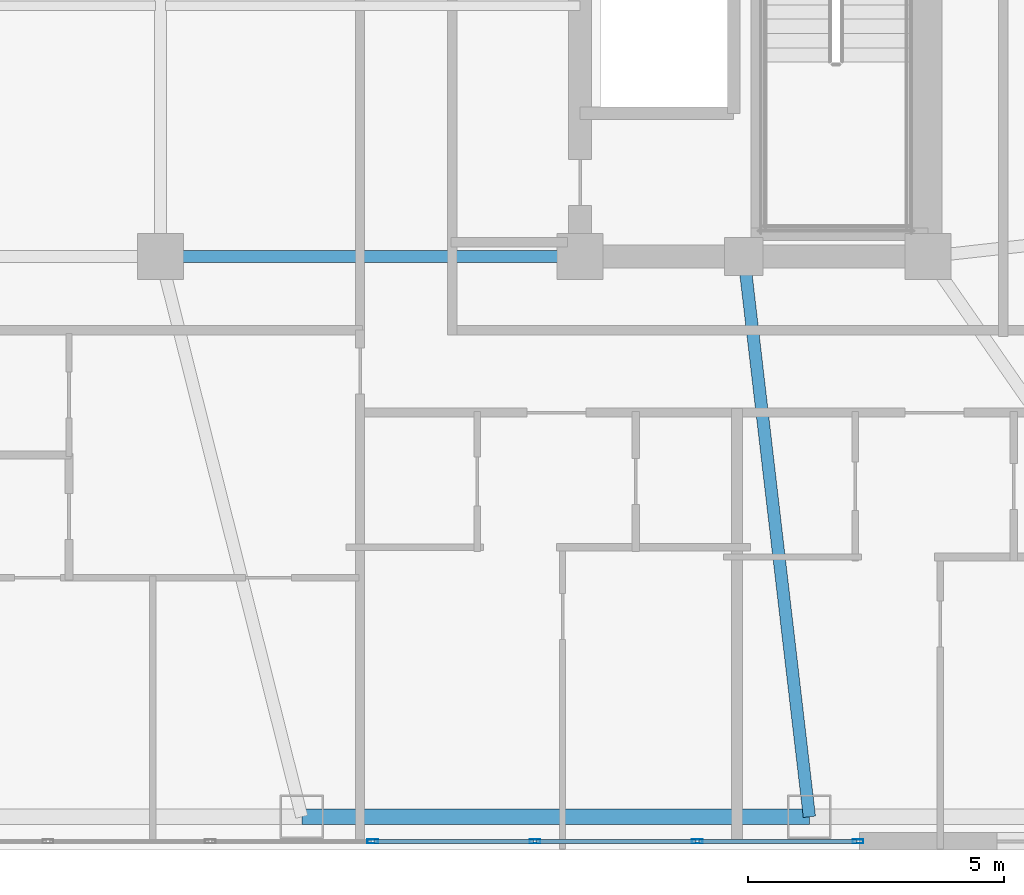
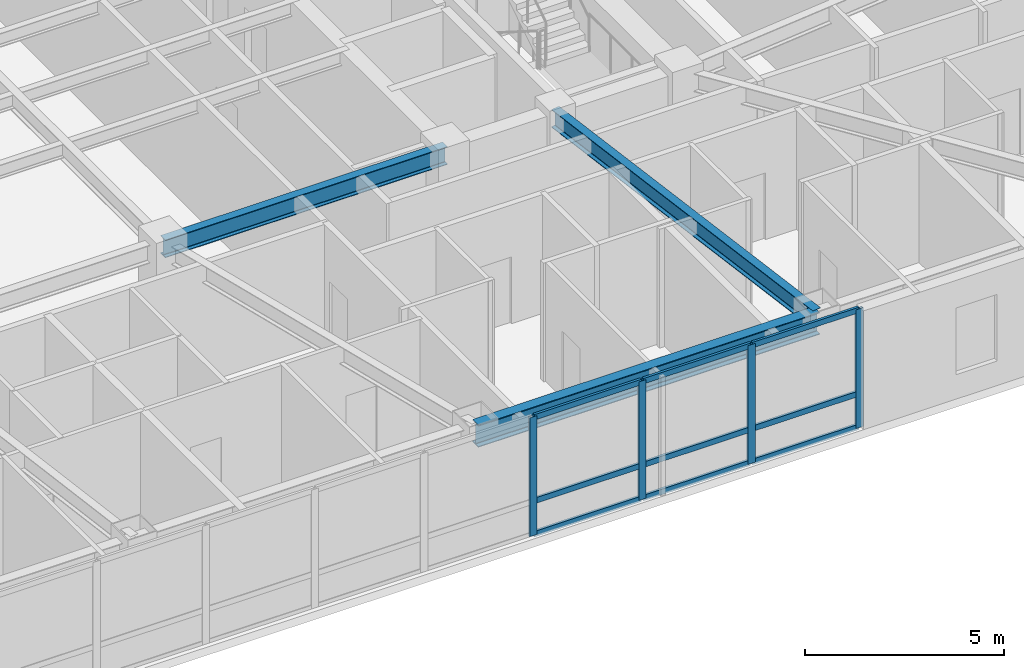
# One storey, part 6 of 17: 13 members, 3 beams, 1 element without a shape of its own.
"""IFC4 building model written with IfcOpenShell, lengths in metres."""

import ifcopenshell
import ifcopenshell.guid

model = None  # the IFC model being written
_history = None  # IfcOwnerHistory: only IFC2X3 demands one
_inside = {}  # id of a spatial element -> (the spatial element, [elements in it])
_under = {}  # id of a project, library or spatial element -> (it, [spatial elements below it])
_declared = {}  # id of a project -> (the project, [libraries it declares])
_typed = {}  # id of a type object -> (the type object, [elements of that type])
_made_of = {}  # id of a material, layer set ... -> (it, [elements and type objects made of it])


def new_model(schema):
    """Start an empty IFC model of exactly this schema.

    Asked for "IFC4X3", IfcOpenShell would pick the latest addendum, in which some entities
    have other attributes; the version numbers below select the first issue.
    IFC2X3 requires an IfcOwnerHistory on every rooted entity: one is made here for all.
    """
    global model, _history
    if schema == "IFC4X3":
        model = ifcopenshell.file(schema_version=(4, 3, 0, 0))
    else:
        model = ifcopenshell.file(schema=schema)
    _inside.clear()
    _under.clear()
    _declared.clear()
    _typed.clear()
    _made_of.clear()
    _history = None
    if model.schema == "IFC2X3":
        org = make("IfcOrganization", Name="unknown")
        user = make(
            "IfcPersonAndOrganization",
            ThePerson=make("IfcPerson", FamilyName="unknown"),
            TheOrganization=org,
        )
        app = make(
            "IfcApplication",
            ApplicationDeveloper=org,
            Version="unknown",
            ApplicationFullName="unknown",
            ApplicationIdentifier="unknown",
        )
        _history = make(
            "IfcOwnerHistory",
            OwningUser=user,
            OwningApplication=app,
            ChangeAction="ADDED",
            CreationDate=0,
        )
    return model


def make(cls, **values):
    """One entity of the class cls with the attributes given. An attribute that is None is left unset."""
    return model.create_entity(
        cls, **{name: value for name, value in values.items() if value is not None}
    )


def rooted(cls, **values):
    """An entity with a GlobalId (a new one), such as an element, a storey or a relation."""
    return make(cls, GlobalId=ifcopenshell.guid.new(), OwnerHistory=_history, **values)


def si_unit(unit_type, name, prefix=None):
    """IfcSIUnit, for example si_unit("LENGTHUNIT", "METRE", prefix="MILLI")."""
    return make("IfcSIUnit", UnitType=unit_type, Prefix=prefix, Name=name)


def assignment(units):
    """IfcUnitAssignment: the units of a project."""
    return None if units is None else make("IfcUnitAssignment", Units=units)


def point(xyz):
    """IfcCartesianPoint."""
    return None if xyz is None else make("IfcCartesianPoint", Coordinates=xyz)


def direction(xyz):
    """IfcDirection."""
    return None if xyz is None else make("IfcDirection", DirectionRatios=xyz)


def frame(location, z_axis=None, x_axis=None):
    """IfcAxis2Placement3D, a coordinate frame: its origin and axes. An axis left out is left unset."""
    return make(
        "IfcAxis2Placement3D",
        Location=point(location),
        Axis=direction(z_axis),
        RefDirection=direction(x_axis),
    )


def frame_2d(location, x_axis=None):
    """IfcAxis2Placement2D, a coordinate frame in the plane: its origin and x axis."""
    return make(
        "IfcAxis2Placement2D", Location=point(location), RefDirection=direction(x_axis)
    )


def origin():
    """The frame at (0, 0, 0) with its axes left unset."""
    return frame((0.0, 0.0, 0.0))


def origin_2d():
    """The frame at (0, 0) in the plane with its x axis left unset."""
    return frame_2d((0.0, 0.0))


def place(relative_to, where):
    """IfcLocalPlacement: puts the frame where relative to a parent placement (None: the world)."""
    return make(
        "IfcLocalPlacement", PlacementRelTo=relative_to, RelativePlacement=where
    )


def context(
    kind, dimensions, precision=None, world=None, true_north=None, identifier=None
):
    """IfcGeometricRepresentationContext, for example the 3D "Model" context."""
    return make(
        "IfcGeometricRepresentationContext",
        ContextIdentifier=identifier,
        ContextType=kind,
        CoordinateSpaceDimension=dimensions,
        Precision=precision,
        WorldCoordinateSystem=world,
        TrueNorth=true_north,
    )


def subcontext(parent, identifier, kind, view, scale=None):
    """IfcGeometricRepresentationSubContext, for example "Body" below "Model"."""
    return make(
        "IfcGeometricRepresentationSubContext",
        ContextIdentifier=identifier,
        ContextType=kind,
        ParentContext=parent,
        TargetScale=scale,
        TargetView=view,
    )


def project(units=None, contexts=None):
    """IfcProject with its units and contexts."""
    return rooted(
        "IfcProject",
        Name="project",
        RepresentationContexts=contexts,
        UnitsInContext=assignment(units),
    )


def spatial(cls, under=None, at=None, **own):
    """A site, building, storey or space (cls), placed at a placement, below another one or the project."""
    s = rooted(cls, ObjectPlacement=at, **own)
    if under is not None:
        _under.setdefault(under.id(), (under, []))[1].append(s)
    return s


def profile(cls, at=None, kind="AREA", **sizes):
    """A parametric profile (cls). Its sizes go by their IFC names, for example OverallWidth=200.0."""
    return make(cls, ProfileType=kind, Position=at, **sizes)


def hollow_rectangle(**sizes):
    """IfcRectangleHollowProfileDef."""
    return profile("IfcRectangleHollowProfileDef", **sizes)


def i_section(**sizes):
    """IfcIShapeProfileDef."""
    return profile("IfcIShapeProfileDef", **sizes)


def extrude(swept, where, along, depth):
    """IfcExtrudedAreaSolid: the profile swept, set in the frame where, extruded along a direction by depth."""
    return make(
        "IfcExtrudedAreaSolid",
        SweptArea=swept,
        Position=where,
        ExtrudedDirection=direction(along),
        Depth=depth,
    )


def shape(context_of_items, identifier, shape_type, items):
    """IfcShapeRepresentation: the items that make up one representation, for example the "Body"."""
    return make(
        "IfcShapeRepresentation",
        ContextOfItems=context_of_items,
        RepresentationIdentifier=identifier,
        RepresentationType=shape_type,
        Items=items,
    )


def material(Name=None, Category=None):
    """IfcMaterial."""
    return make("IfcMaterial", Name=Name, Category=Category)


def layer(
    of_material, thickness, ventilated=None, Name=None, Category=None, Priority=None
):
    """IfcMaterialLayer: one layer of a wall or slab, of a material (None: an air gap)."""
    return make(
        "IfcMaterialLayer",
        Material=of_material,
        LayerThickness=thickness,
        IsVentilated=ventilated,
        Name=Name,
        Category=Category,
        Priority=Priority,
    )


def layer_set(layers, Name=None):
    """IfcMaterialLayerSet."""
    return make("IfcMaterialLayerSet", MaterialLayers=layers, LayerSetName=Name)


def material_profile(
    of_material, cross_section, Name=None, Category=None, Priority=None
):
    """IfcMaterialProfile: a cross section and its material."""
    return make(
        "IfcMaterialProfile",
        Name=Name,
        Material=of_material,
        Profile=cross_section,
        Priority=Priority,
        Category=Category,
    )


def profile_set(profiles, Name=None, composite=None):
    """IfcMaterialProfileSet."""
    return make(
        "IfcMaterialProfileSet",
        Name=Name,
        MaterialProfiles=profiles,
        CompositeProfile=composite,
    )


def made_of(thing, what):
    """Note that an element or type object is made of a material, layer set ...; save() writes the relation."""
    if what is not None:
        _made_of.setdefault(what.id(), (what, []))[1].append(thing)
    return thing


def type_object(cls, material=None, **own):
    """A type object (cls), such as IfcWallType, which elements share."""
    return made_of(rooted(cls, **own), material)


def element(
    cls,
    number,
    at=None,
    inside=None,
    cuts=None,
    type_object=None,
    material=None,
    context=None,
    identifier="Body",
    shape_type=None,
    held_by="IfcProductDefinitionShape",
    body=None,
    shapes=None,
    **own,
):
    """One element of the class cls, such as IfcWall. Its Tag is "e" and its number.

    at: its placement. inside: the storey or other place that contains it. cuts: it is an
    opening in that element (IfcRelVoidsElement). A single representation is given by context,
    identifier, shape_type and body (its items); several are given by shapes. held_by: the class
    of the entity that holds the representations. save() writes the other relations.
    """
    e = rooted(cls, Tag="e%d" % number, ObjectPlacement=at, **own)
    if body is not None:
        shapes = [shape(context, identifier, shape_type, body)]
    if shapes is not None:
        e.Representation = make(held_by, Representations=shapes)
    if inside is not None:
        _inside.setdefault(inside.id(), (inside, []))[1].append(e)
    if cuts is not None:
        rooted(
            "IfcRelVoidsElement", RelatingBuildingElement=cuts, RelatedOpeningElement=e
        )
    if type_object is not None:
        _typed.setdefault(type_object.id(), (type_object, []))[1].append(e)
    return made_of(e, material)


def aggregate(whole, parts):
    """IfcRelAggregates: a whole, such as a stair, and the parts it consists of."""
    return rooted("IfcRelAggregates", RelatingObject=whole, RelatedObjects=parts)


def save(model, path):
    """Write the relations noted so far, then the file.

    IfcRelAggregates (storeys below a building ...), IfcRelContainedInSpatialStructure (elements
    in a storey), IfcRelDefinesByType, IfcRelAssociatesMaterial and IfcRelDeclares: one each for
    every whole, place, type object, material and project.
    """
    for whole, parts in _under.values():
        aggregate(whole, parts)
    for where, things in _inside.values():
        rooted(
            "IfcRelContainedInSpatialStructure",
            RelatedElements=things,
            RelatingStructure=where,
        )
    for kind, things in _typed.values():
        rooted("IfcRelDefinesByType", RelatedObjects=things, RelatingType=kind)
    for what, things in _made_of.values():
        rooted("IfcRelAssociatesMaterial", RelatedObjects=things, RelatingMaterial=what)
    for by, libraries in _declared.values():
        rooted("IfcRelDeclares", RelatingContext=by, RelatedDefinitions=libraries)
    model.write(path)


model = new_model("IFC4")

# Units and contexts
model_context = context("Model", 3, precision=1e-05, world=origin(), true_north=direction((0.0, 1.0)))
body_context = subcontext(model_context, "Body", "Model", "MODEL_VIEW")
ifc_project = project(units=[si_unit("LENGTHUNIT", "METRE"), si_unit("AREAUNIT", "SQUARE_METRE"), si_unit("VOLUMEUNIT", "CUBIC_METRE"), si_unit("PLANEANGLEUNIT", "RADIAN"), si_unit("MASSUNIT", "GRAM", prefix="KILO")], contexts=[model_context])

# Site, building, storey
site_placement = place(None, origin())
site = spatial("IfcSite", under=ifc_project, at=site_placement, CompositionType="ELEMENT")
building_placement = place(site_placement, origin())
building = spatial("IfcBuilding", under=site, at=building_placement, Name="Voryun Gate Residences", CompositionType="ELEMENT")
storey_placement = place(building_placement, frame((0.0, 0.0, 204.10009765625)))
storey = spatial("IfcBuildingStorey", under=building, at=storey_placement, Name="L50", CompositionType="ELEMENT", Elevation=204.10009765625)

# Beams
ifc_material_1 = material(Name="Steel SM355", Category="steel")
ifc_material_profile_1 = material_profile(ifc_material_1, i_section(OverallWidth=0.300048828125, OverallDepth=0.679931640625, WebThickness=0.013916015625, FlangeThickness=0.02490234375, FilletRadius=0.01806640625, at=origin_2d()), Name="H-680x300x14x25")
ifc_profile_set_1 = profile_set([ifc_material_profile_1], Name="Steel SM355")
beam_type_1 = type_object("IfcBeamType", Name="BM_EXO_SPANDREL_M", PredefinedType="SPANDREL", material=ifc_profile_set_1)
beam_1_placement = place(storey_placement, frame((6.9599609375, -18.35009765625, 3.309814453125), z_axis=(1.0, 0.0, 0.0), x_axis=(0.0, 1.0, 0.0)))
element("IfcBeam", 1, at=beam_1_placement, inside=storey, type_object=beam_type_1, Name="BM-L50-SPAND-04", PredefinedType="SPANDREL", context=body_context, shape_type="SweptSolid", body=[
    extrude(i_section(OverallWidth=0.300048828125, OverallDepth=0.679931640625, WebThickness=0.013916015625, FlangeThickness=0.02490234375, FilletRadius=0.01806640625, at=origin_2d()), origin(), (0.0, 0.0, 1.0), 9.919921875),
])
ifc_material_2 = material(Name="Steel SM355", Category="steel")
ifc_material_profile_2 = material_profile(ifc_material_2, i_section(OverallWidth=0.239990234375, OverallDepth=0.550048828125, WebThickness=0.011962890625, FlangeThickness=0.02001953125, FilletRadius=0.01806640625, at=origin_2d()), Name="H-550x240x12x20")
ifc_profile_set_2 = profile_set([ifc_material_profile_2], Name="Steel SM355")
beam_type_2 = type_object("IfcBeamType", Name="BM_GIRD_550", PredefinedType="USERDEFINED", material=ifc_profile_set_2)
beam_2_placement = place(storey_placement, frame((4.199951171875, -7.39990234375, 3.375), z_axis=(1.0, 0.0, 0.0), x_axis=(0.0, 1.0, 0.0)))
element("IfcBeam", 2, at=beam_2_placement, inside=storey, type_object=beam_type_2, Name="BM-L50-SPG3-S", ObjectType="GIRDER", PredefinedType="USERDEFINED", context=body_context, shape_type="SweptSolid", body=[
    extrude(i_section(OverallWidth=0.239990234375, OverallDepth=0.550048828125, WebThickness=0.011962890625, FlangeThickness=0.02001953125, FilletRadius=0.01806640625, at=origin_2d()), origin(), (0.0, 0.0, 1.0), 8.199951171875),
])
beam_3_placement = place(storey_placement, frame((15.60009765625, -7.39990234375, 3.375), z_axis=(0.116083150214, -0.993239498931, 0.0), x_axis=(0.993239498931, 0.116083150214, 0.0)))
element("IfcBeam", 3, at=beam_3_placement, inside=storey, type_object=beam_type_2, Name="BM-L50-RAD-S5", ObjectType="GIRDER", PredefinedType="USERDEFINED", context=body_context, shape_type="SweptSolid", body=[
    extrude(i_section(OverallWidth=0.239990234375, OverallDepth=0.550048828125, WebThickness=0.011962890625, FlangeThickness=0.02001953125, FilletRadius=0.01806640625, at=origin_2d()), origin(), (0.0, 0.0, 1.0), 11.024658203125),
])

# Curtain wall, members
ifc_material_3 = material(Name="Anodised aluminium", Category="aluminium")
ifc_layer = layer(ifc_material_3, 0.2099609375, Name="CW_SYS_SKYGARDEN_DARK_GLASS")
ifc_layer_set = layer_set([ifc_layer], Name="Anodised aluminium")
curtain_wall_type = type_object("IfcCurtainWallType", Name="CW_SYS_SKYGARDEN_DARK_GLASS", PredefinedType="NOTDEFINED", material=ifc_layer_set)
curtain_wall_placement = place(storey_placement, origin())
curtain_wall = element("IfcCurtainWall", 4, at=curtain_wall_placement, inside=storey, type_object=curtain_wall_type, Name="Curtain wall CW5-L50-SG-01", PredefinedType="NOTDEFINED")
ifc_material_4 = material(Name="Anodised aluminium", Category="aluminium")
ifc_material_profile_3 = material_profile(ifc_material_4, hollow_rectangle(XDim=0.074951171875, YDim=0.2099609375, WallThickness=0.0048828125, at=origin_2d()), Name="ALU-MULL-210x75x5")
ifc_profile_set_3 = profile_set([ifc_material_profile_3], Name="Anodised aluminium")
member_type_1 = type_object("IfcMemberType", Name="CW_MULL_SKY", PredefinedType="MULLION", material=ifc_profile_set_3)
member_1_placement = place(storey_placement, frame((17.831298828125, -18.830078125, 0.0), z_axis=(0.0, 0.0, 1.0), x_axis=(0.0, -1.0, 0.0)))
member_1 = element("IfcMember", 5, at=member_1_placement, type_object=member_type_1, Name="CW5 mullion 1", PredefinedType="MULLION", context=body_context, shape_type="SweptSolid", body=[
    extrude(hollow_rectangle(XDim=0.074951171875, YDim=0.2099609375, WallThickness=0.0048828125, at=origin_2d()), origin(), (0.0, 0.0, 1.0), 3.64990234375),
])
member_2_placement = place(storey_placement, frame((14.68896484375, -18.830078125, 0.0), z_axis=(0.0, 0.0, 1.0), x_axis=(0.0, -1.0, 0.0)))
member_2 = element("IfcMember", 6, at=member_2_placement, type_object=member_type_1, Name="CW5 mullion 2", PredefinedType="MULLION", context=body_context, shape_type="SweptSolid", body=[
    extrude(hollow_rectangle(XDim=0.074951171875, YDim=0.2099609375, WallThickness=0.0048828125, at=origin_2d()), origin(), (0.0, 0.0, 1.0), 3.64990234375),
])
member_3_placement = place(storey_placement, frame((11.516845703125, -18.830078125, 0.0), z_axis=(0.0, 0.0, 1.0), x_axis=(0.0, -1.0, 0.0)))
member_3 = element("IfcMember", 7, at=member_3_placement, type_object=member_type_1, Name="CW5 mullion 3", PredefinedType="MULLION", context=body_context, shape_type="SweptSolid", body=[
    extrude(hollow_rectangle(XDim=0.074951171875, YDim=0.2099609375, WallThickness=0.0048828125, at=origin_2d()), origin(), (0.0, 0.0, 1.0), 3.64990234375),
])
member_4_placement = place(storey_placement, frame((8.344482421875, -18.830078125, 0.0), z_axis=(0.0, 0.0, 1.0), x_axis=(0.0, -1.0, 0.0)))
member_4 = element("IfcMember", 8, at=member_4_placement, type_object=member_type_1, Name="CW5 mullion 4", PredefinedType="MULLION", context=body_context, shape_type="SweptSolid", body=[
    extrude(hollow_rectangle(XDim=0.074951171875, YDim=0.2099609375, WallThickness=0.0048828125, at=origin_2d()), origin(), (0.0, 0.0, 1.0), 3.64990234375),
])
ifc_material_5 = material(Name="Anodised aluminium", Category="aluminium")
ifc_material_profile_4 = material_profile(ifc_material_5, hollow_rectangle(XDim=0.074951171875, YDim=0.169921875, WallThickness=0.0048828125, at=origin_2d()), Name="ALU-TRAN-170x75x5")
ifc_profile_set_4 = profile_set([ifc_material_profile_4], Name="Anodised aluminium")
member_type_2 = type_object("IfcMemberType", Name="CW_TRAN_SKY", PredefinedType="USERDEFINED", material=ifc_profile_set_4)
member_5_placement = place(storey_placement, frame((17.80126953125, -18.830078125, 0.02978515625), z_axis=(-1.0, 0.0, 0.0), x_axis=(0.0, -1.0, 0.0)))
member_5 = element("IfcMember", 9, at=member_5_placement, type_object=member_type_2, Name="CW5 transom 1.1", ObjectType="TRANSOM", PredefinedType="USERDEFINED", context=body_context, shape_type="SweptSolid", body=[
    extrude(hollow_rectangle(XDim=0.074951171875, YDim=0.169921875, WallThickness=0.0048828125, at=origin_2d()), origin(), (0.0, 0.0, 1.0), 3.082275390625),
])
member_6_placement = place(storey_placement, frame((17.80126953125, -18.830078125, 1.0498046875), z_axis=(-1.0, 0.0, 0.0), x_axis=(0.0, -1.0, 0.0)))
member_6 = element("IfcMember", 10, at=member_6_placement, type_object=member_type_2, Name="CW5 transom 1.2", ObjectType="TRANSOM", PredefinedType="USERDEFINED", context=body_context, shape_type="SweptSolid", body=[
    extrude(hollow_rectangle(XDim=0.074951171875, YDim=0.169921875, WallThickness=0.0048828125, at=origin_2d()), origin(), (0.0, 0.0, 1.0), 3.082275390625),
])
member_7_placement = place(storey_placement, frame((17.80126953125, -18.830078125, 3.619873046875), z_axis=(-1.0, 0.0, 0.0), x_axis=(0.0, -1.0, 0.0)))
member_7 = element("IfcMember", 11, at=member_7_placement, type_object=member_type_2, Name="CW5 transom 1.3", ObjectType="TRANSOM", PredefinedType="USERDEFINED", context=body_context, shape_type="SweptSolid", body=[
    extrude(hollow_rectangle(XDim=0.074951171875, YDim=0.169921875, WallThickness=0.0048828125, at=origin_2d()), origin(), (0.0, 0.0, 1.0), 3.082275390625),
])
member_8_placement = place(storey_placement, frame((14.658935546875, -18.830078125, 0.02978515625), z_axis=(-1.0, 0.0, 0.0), x_axis=(0.0, -1.0, 0.0)))
member_8 = element("IfcMember", 12, at=member_8_placement, type_object=member_type_2, Name="CW5 transom 2.1", ObjectType="TRANSOM", PredefinedType="USERDEFINED", context=body_context, shape_type="SweptSolid", body=[
    extrude(hollow_rectangle(XDim=0.074951171875, YDim=0.169921875, WallThickness=0.0048828125, at=origin_2d()), origin(), (0.0, 0.0, 1.0), 3.112060546875),
])
member_9_placement = place(storey_placement, frame((14.658935546875, -18.830078125, 1.0498046875), z_axis=(-1.0, 0.0, 0.0), x_axis=(0.0, -1.0, 0.0)))
member_9 = element("IfcMember", 13, at=member_9_placement, type_object=member_type_2, Name="CW5 transom 2.2", ObjectType="TRANSOM", PredefinedType="USERDEFINED", context=body_context, shape_type="SweptSolid", body=[
    extrude(hollow_rectangle(XDim=0.074951171875, YDim=0.169921875, WallThickness=0.0048828125, at=origin_2d()), origin(), (0.0, 0.0, 1.0), 3.112060546875),
])
member_10_placement = place(storey_placement, frame((14.658935546875, -18.830078125, 3.619873046875), z_axis=(-1.0, 0.0, 0.0), x_axis=(0.0, -1.0, 0.0)))
member_10 = element("IfcMember", 14, at=member_10_placement, type_object=member_type_2, Name="CW5 transom 2.3", ObjectType="TRANSOM", PredefinedType="USERDEFINED", context=body_context, shape_type="SweptSolid", body=[
    extrude(hollow_rectangle(XDim=0.074951171875, YDim=0.169921875, WallThickness=0.0048828125, at=origin_2d()), origin(), (0.0, 0.0, 1.0), 3.112060546875),
])
member_11_placement = place(storey_placement, frame((11.48681640625, -18.830078125, 0.02978515625), z_axis=(-1.0, 0.0, 0.0), x_axis=(0.0, -1.0, 0.0)))
member_11 = element("IfcMember", 15, at=member_11_placement, type_object=member_type_2, Name="CW5 transom 3.1", ObjectType="TRANSOM", PredefinedType="USERDEFINED", context=body_context, shape_type="SweptSolid", body=[
    extrude(hollow_rectangle(XDim=0.074951171875, YDim=0.169921875, WallThickness=0.0048828125, at=origin_2d()), origin(), (0.0, 0.0, 1.0), 3.1123046875),
])
member_12_placement = place(storey_placement, frame((11.48681640625, -18.830078125, 1.0498046875), z_axis=(-1.0, 0.0, 0.0), x_axis=(0.0, -1.0, 0.0)))
member_12 = element("IfcMember", 16, at=member_12_placement, type_object=member_type_2, Name="CW5 transom 3.2", ObjectType="TRANSOM", PredefinedType="USERDEFINED", context=body_context, shape_type="SweptSolid", body=[
    extrude(hollow_rectangle(XDim=0.074951171875, YDim=0.169921875, WallThickness=0.0048828125, at=origin_2d()), origin(), (0.0, 0.0, 1.0), 3.1123046875),
])
member_13_placement = place(storey_placement, frame((11.48681640625, -18.830078125, 3.619873046875), z_axis=(-1.0, 0.0, 0.0), x_axis=(0.0, -1.0, 0.0)))
member_13 = element("IfcMember", 17, at=member_13_placement, type_object=member_type_2, Name="CW5 transom 3.3", ObjectType="TRANSOM", PredefinedType="USERDEFINED", context=body_context, shape_type="SweptSolid", body=[
    extrude(hollow_rectangle(XDim=0.074951171875, YDim=0.169921875, WallThickness=0.0048828125, at=origin_2d()), origin(), (0.0, 0.0, 1.0), 3.1123046875),
])
aggregate(curtain_wall, [member_1, member_2, member_3, member_4, member_5, member_6, member_7, member_8, member_9, member_10, member_11, member_12, member_13])

save(model, "model.ifc")
